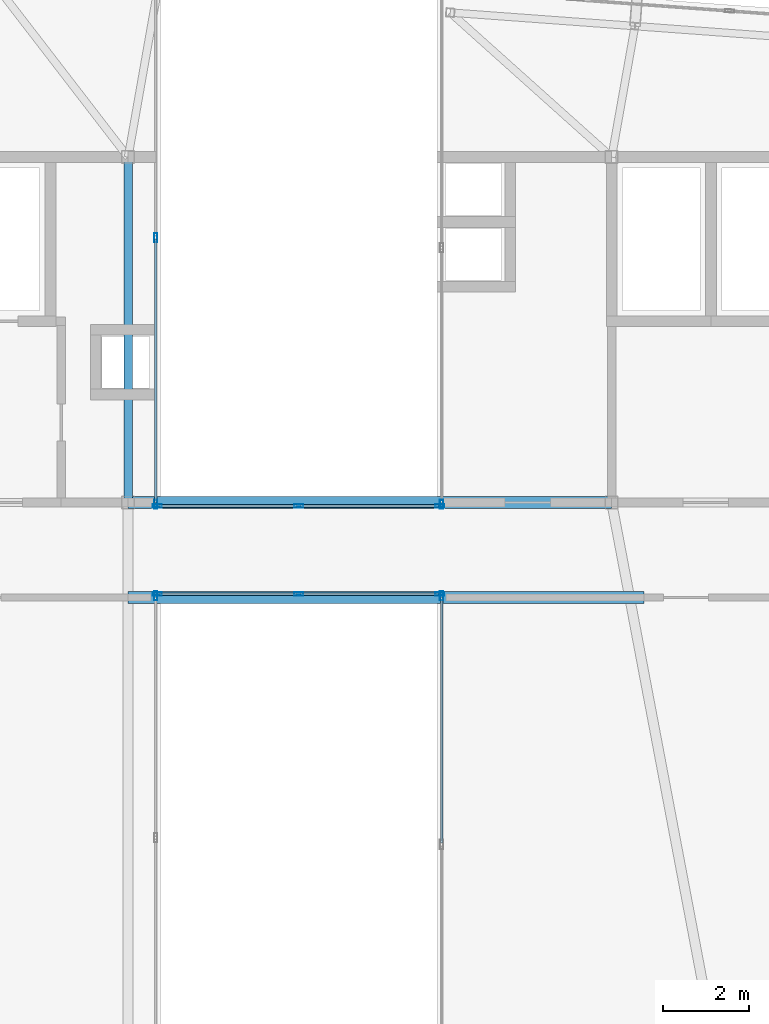
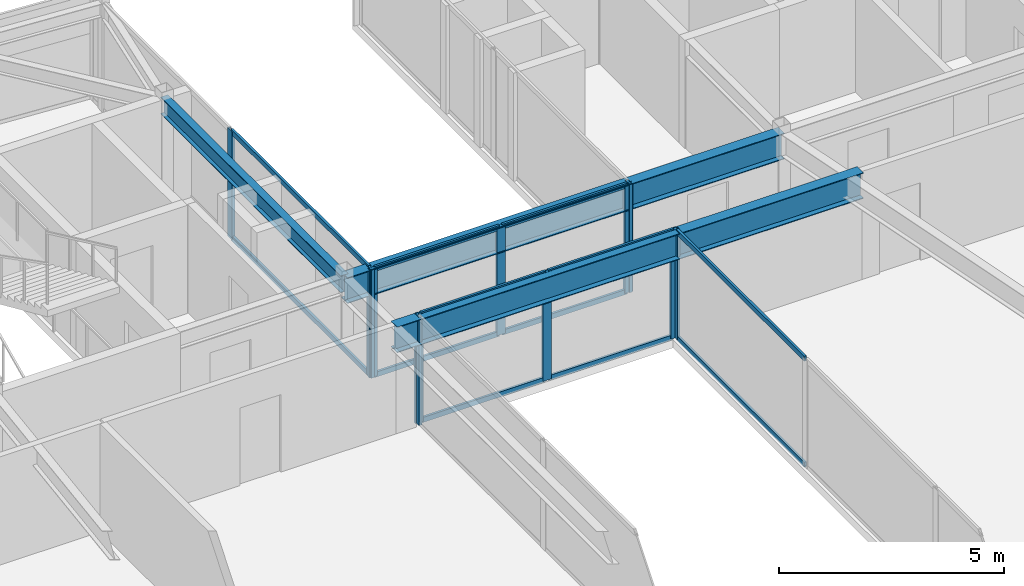
# One storey, part 17 of 39: 23 members, 3 beams, 6 elements without a shape of their own.
"""IFC4 building model written with IfcOpenShell, lengths in metres."""

from ifc_helpers import new_model, si_unit, direction, frame, origin, origin_2d, place, context, subcontext, project, spatial, hollow_rectangle, i_section, extrude, source, transform, mapped, material, layer, layer_set, material_profile, profile_set, type_object, element, aggregate, save


model = new_model("IFC4")

# Units and contexts
model_context = context("Model", 3, precision=1e-05, world=origin(), true_north=direction((0.0, 1.0)))
body_context = subcontext(model_context, "Body", "Model", "MODEL_VIEW")
ifc_project = project(units=[si_unit("LENGTHUNIT", "METRE"), si_unit("AREAUNIT", "SQUARE_METRE"), si_unit("VOLUMEUNIT", "CUBIC_METRE"), si_unit("PLANEANGLEUNIT", "RADIAN"), si_unit("MASSUNIT", "GRAM", prefix="KILO")], contexts=[model_context])

# Site, building, storey
site_placement = place(None, origin())
site = spatial("IfcSite", under=ifc_project, at=site_placement, CompositionType="ELEMENT")
building_placement = place(site_placement, origin())
building = spatial("IfcBuilding", under=site, at=building_placement, Name="Taldren Reach Tower", CompositionType="ELEMENT")
storey_placement = place(building_placement, frame((0.0, 0.0, 230.300048828125)))
storey = spatial("IfcBuildingStorey", under=building, at=storey_placement, Name="L70", CompositionType="ELEMENT", Elevation=230.300048828125)

# Beams
ifc_material_1 = material(Name="Steel Gr 350 (350PLUS)", Category="steel")
ifc_material_profile_1 = material_profile(ifc_material_1, i_section(OverallWidth=0.19091796875, OverallDepth=0.4599609375, WebThickness=0.010009765625, FlangeThickness=0.01611328125, at=origin_2d()), Name="460UB82.1")
ifc_profile_set_1 = profile_set([ifc_material_profile_1], Name="Steel Gr 350 (350PLUS)")
beam_type_1 = type_object("IfcBeamType", Name="BM-UB460A", PredefinedType="BEAM", material=ifc_profile_set_1)
shared_shape_1 = source(origin(), body_context, "Body", "SweptSolid", [
    extrude(i_section(OverallWidth=0.19091796875, OverallDepth=0.4599609375, WebThickness=0.010009765625, FlangeThickness=0.01611328125, at=origin_2d()), origin(), (0.0, 0.0, 1.0), 8.0),
])
beam_1_placement = place(storey_placement, frame((28.0, 24.0, 2.699951171875), z_axis=(0.0, 1.0, 0.0), x_axis=(-1.0, 0.0, 0.0)))
element("IfcBeam", 1, at=beam_1_placement, inside=storey, type_object=beam_type_1, Name="Core-spine girder L70-SP07", PredefinedType="BEAM", context=body_context, shape_type="MappedRepresentation", body=[
    mapped(shared_shape_1, transform((0.0, 0.0, 0.0), scale=1.0)),
])
ifc_material_profile_2 = material_profile(ifc_material_1, i_section(OverallWidth=0.27490234375, OverallDepth=0.699951171875, WebThickness=0.010009765625, FlangeThickness=0.02001953125, at=origin_2d()), Name="700WB150")
ifc_profile_set_2 = profile_set([ifc_material_profile_2], Name="Steel Gr 350 (350PLUS)")
beam_type_2 = type_object("IfcBeamType", Name="BM-WB700", PredefinedType="BEAM", material=ifc_profile_set_2)
shared_shape_2 = source(origin(), body_context, "Body", "SweptSolid", [
    extrude(i_section(OverallWidth=0.27490234375, OverallDepth=0.699951171875, WebThickness=0.010009765625, FlangeThickness=0.02001953125, at=origin_2d()), origin(), (0.0, 0.0, 1.0), 11.199951171875),
])
beam_2_placement = place(storey_placement, frame((28.0, 24.0, 2.579833984375), z_axis=(1.0, 0.0, 0.0), x_axis=(0.0, 1.0, 0.0)))
element("IfcBeam", 2, at=beam_2_placement, inside=storey, type_object=beam_type_2, Name="Core-spine girder L70-SP02", PredefinedType="BEAM", context=body_context, shape_type="MappedRepresentation", body=[
    mapped(shared_shape_2, transform((0.0, 0.0, 0.0), scale=1.0)),
])
shared_shape_3 = source(origin(), body_context, "Body", "SweptSolid", [
    extrude(i_section(OverallWidth=0.27490234375, OverallDepth=0.699951171875, WebThickness=0.010009765625, FlangeThickness=0.02001953125, at=origin_2d()), origin(), (0.0, 0.0, 1.0), 11.949951171875),
])
beam_3_placement = place(storey_placement, frame((28.0, 21.800048828125, 2.579833984375), z_axis=(1.0, 0.0, 0.0), x_axis=(0.0, 1.0, 0.0)))
element("IfcBeam", 3, at=beam_3_placement, inside=storey, type_object=beam_type_2, Name="Wind portal sky-bridge south girder L70", PredefinedType="BEAM", context=body_context, shape_type="MappedRepresentation", body=[
    mapped(shared_shape_3, transform((0.0, 0.0, 0.0), scale=1.0)),
])

# Curtain wall, members
ifc_material_2 = material(Name="Aluminium and Low-E Glass Unitised System", Category="aluminium")
ifc_layer = layer(ifc_material_2, 0.159912109375)
ifc_layer_set = layer_set([ifc_layer], Name="Aluminium and Low-E Glass Unitised System")
curtain_wall_type = type_object("IfcCurtainWallType", Name="CW-SYS-7", PredefinedType="NOTDEFINED", material=ifc_layer_set)
curtain_wall_1_placement = place(storey_placement, origin())
curtain_wall_1 = element("IfcCurtainWall", 4, at=curtain_wall_1_placement, inside=storey, type_object=curtain_wall_type, Name="Unitised curtain wall CW7-L70-BRS", PredefinedType="NOTDEFINED")
ifc_material_3 = material(Name="Anodised Aluminium 6063-T6", Category="aluminium")
ifc_material_profile_3 = material_profile(ifc_material_3, hollow_rectangle(XDim=0.074951171875, YDim=0.2099609375, WallThickness=0.00439453125, at=origin_2d()), Name="ALU-210x75x4.5RHS")
ifc_profile_set_3 = profile_set([ifc_material_profile_3], Name="Anodised Aluminium 6063-T6")
member_type_1 = type_object("IfcMemberType", Name="CW-MUL-200", PredefinedType="MULLION", material=ifc_profile_set_3)
shared_shape_4 = source(origin(), body_context, "Body", "SweptSolid", [
    extrude(hollow_rectangle(XDim=0.074951171875, YDim=0.2099609375, WallThickness=0.00439453125, at=origin_2d()), origin(), (0.0, 0.0, 1.0), 2.929931640625),
])
member_1_placement = place(storey_placement, frame((28.677490234375, 21.8798828125, 0.0), z_axis=(0.0, 0.0, 1.0), x_axis=(0.0, 1.0, 0.0)))
member_1 = element("IfcMember", 5, at=member_1_placement, type_object=member_type_1, Name="CW-7 mullion 1", PredefinedType="MULLION", context=body_context, shape_type="MappedRepresentation", body=[
    mapped(shared_shape_4, transform((0.0, 0.0, 0.0), scale=1.0)),
])
member_2_placement = place(storey_placement, frame((31.949951171875, 21.8798828125, 0.0), z_axis=(0.0, 0.0, 1.0), x_axis=(0.0, 1.0, 0.0)))
member_2 = element("IfcMember", 6, at=member_2_placement, type_object=member_type_1, Name="CW-7 mullion 2", PredefinedType="MULLION", context=body_context, shape_type="MappedRepresentation", body=[
    mapped(shared_shape_4, transform((0.0, 0.0, 0.0), scale=1.0)),
])
member_3_placement = place(storey_placement, frame((35.222412109375, 21.8798828125, 0.0), z_axis=(0.0, 0.0, 1.0), x_axis=(0.0, 1.0, 0.0)))
member_3 = element("IfcMember", 7, at=member_3_placement, type_object=member_type_1, Name="CW-7 mullion 3", PredefinedType="MULLION", context=body_context, shape_type="MappedRepresentation", body=[
    mapped(shared_shape_4, transform((0.0, 0.0, 0.0), scale=1.0)),
])

curtain_wall_2_placement = place(storey_placement, origin())
curtain_wall_2 = element("IfcCurtainWall", 8, at=curtain_wall_2_placement, inside=storey, type_object=curtain_wall_type, Name="Unitised curtain wall CW7-L70-BRN", PredefinedType="NOTDEFINED")
member_4_placement = place(storey_placement, frame((35.222412109375, 23.919921875, 0.0), z_axis=(0.0, 0.0, 1.0), x_axis=(0.0, -1.0, 0.0)))
member_4 = element("IfcMember", 9, at=member_4_placement, type_object=member_type_1, Name="CW-7 mullion 1", PredefinedType="MULLION", context=body_context, shape_type="MappedRepresentation", body=[
    mapped(shared_shape_4, transform((0.0, 0.0, 0.0), scale=1.0)),
])
member_5_placement = place(storey_placement, frame((31.949951171875, 23.919921875, 0.0), z_axis=(0.0, 0.0, 1.0), x_axis=(0.0, -1.0, 0.0)))
member_5 = element("IfcMember", 10, at=member_5_placement, type_object=member_type_1, Name="CW-7 mullion 2", PredefinedType="MULLION", context=body_context, shape_type="MappedRepresentation", body=[
    mapped(shared_shape_4, transform((0.0, 0.0, 0.0), scale=1.0)),
])
member_6_placement = place(storey_placement, frame((28.677490234375, 23.919921875, 0.0), z_axis=(0.0, 0.0, 1.0), x_axis=(0.0, -1.0, 0.0)))
member_6 = element("IfcMember", 11, at=member_6_placement, type_object=member_type_1, Name="CW-7 mullion 3", PredefinedType="MULLION", context=body_context, shape_type="MappedRepresentation", body=[
    mapped(shared_shape_4, transform((0.0, 0.0, 0.0), scale=1.0)),
])

# Curtain wall, member
curtain_wall_3_placement = place(storey_placement, origin())
curtain_wall_3 = element("IfcCurtainWall", 12, at=curtain_wall_3_placement, inside=storey, type_object=curtain_wall_type, Name="Unitised curtain wall CW7-L70-PSW", PredefinedType="NOTDEFINED")
member_7_placement = place(storey_placement, frame((28.639892578125, 21.842529296875, 0.0), z_axis=(0.0, 0.0, 1.0), x_axis=(-1.0, 0.0, 0.0)))
member_7 = element("IfcMember", 13, at=member_7_placement, type_object=member_type_1, Name="CW-7 mullion 4", PredefinedType="MULLION", context=body_context, shape_type="MappedRepresentation", body=[
    mapped(shared_shape_4, transform((0.0, 0.0, 0.0), scale=1.0)),
])
aggregate(curtain_wall_3, [member_7])

curtain_wall_4_placement = place(storey_placement, origin())
curtain_wall_4 = element("IfcCurtainWall", 14, at=curtain_wall_4_placement, inside=storey, type_object=curtain_wall_type, Name="Unitised curtain wall CW7-L70-PSE", PredefinedType="NOTDEFINED")
member_8_placement = place(storey_placement, frame((35.260009765625, 21.842529296875, 0.0), z_axis=(0.0, 0.0, 1.0), x_axis=(1.0, 0.0, 0.0)))
member_8 = element("IfcMember", 15, at=member_8_placement, type_object=member_type_1, Name="CW-7 mullion 1", PredefinedType="MULLION", context=body_context, shape_type="MappedRepresentation", body=[
    mapped(shared_shape_4, transform((0.0, 0.0, 0.0), scale=1.0)),
])

# Curtain wall, members
curtain_wall_5_placement = place(storey_placement, origin())
curtain_wall_5 = element("IfcCurtainWall", 16, at=curtain_wall_5_placement, inside=storey, type_object=curtain_wall_type, Name="Unitised curtain wall CW7-L70-PNW", PredefinedType="NOTDEFINED")
member_9_placement = place(storey_placement, frame((28.639892578125, 23.95751953125, 0.0), z_axis=(0.0, 0.0, 1.0), x_axis=(-1.0, 0.0, 0.0)))
member_9 = element("IfcMember", 17, at=member_9_placement, type_object=member_type_1, Name="CW-7 mullion 1", PredefinedType="MULLION", context=body_context, shape_type="MappedRepresentation", body=[
    mapped(shared_shape_4, transform((0.0, 0.0, 0.0), scale=1.0)),
])
member_10_placement = place(storey_placement, frame((28.639892578125, 30.136962890625, 0.0), z_axis=(0.0, 0.0, 1.0), x_axis=(-1.0, 0.0, 0.0)))
member_10 = element("IfcMember", 18, at=member_10_placement, type_object=member_type_1, Name="CW-7 mullion 2", PredefinedType="MULLION", context=body_context, shape_type="MappedRepresentation", body=[
    mapped(shared_shape_4, transform((0.0, 0.0, 0.0), scale=1.0)),
])

# Curtain wall, member
curtain_wall_6_placement = place(storey_placement, origin())
curtain_wall_6 = element("IfcCurtainWall", 19, at=curtain_wall_6_placement, inside=storey, type_object=curtain_wall_type, Name="Unitised curtain wall CW7-L70-PNE", PredefinedType="NOTDEFINED")
member_11_placement = place(storey_placement, frame((35.260009765625, 23.95751953125, 0.0), z_axis=(0.0, 0.0, 1.0), x_axis=(1.0, 0.0, 0.0)))
member_11 = element("IfcMember", 20, at=member_11_placement, type_object=member_type_1, Name="CW-7 mullion 3", PredefinedType="MULLION", context=body_context, shape_type="MappedRepresentation", body=[
    mapped(shared_shape_4, transform((0.0, 0.0, 0.0), scale=1.0)),
])
aggregate(curtain_wall_6, [member_11])

# Member
ifc_material_profile_4 = material_profile(ifc_material_3, hollow_rectangle(XDim=0.06005859375, YDim=0.135009765625, WallThickness=0.00341796875, at=origin_2d()), Name="ALU-135x60x3.5RHS")
ifc_profile_set_4 = profile_set([ifc_material_profile_4], Name="Anodised Aluminium 6063-T6")
member_type_2 = type_object("IfcMemberType", Name="CW-TRN-150", PredefinedType="USERDEFINED", material=ifc_profile_set_4)
shared_shape_5 = source(origin(), body_context, "Body", "SweptSolid", [
    extrude(hollow_rectangle(XDim=0.06005859375, YDim=0.135009765625, WallThickness=0.00341796875, at=origin_2d()), origin(), (0.0, 0.0, 1.0), 3.197509765625),
])
member_12_placement = place(storey_placement, frame((28.715087890625, 21.8798828125, 0.030029296875), z_axis=(1.0, 0.0, 0.0), x_axis=(0.0, 1.0, 0.0)))
member_12 = element("IfcMember", 21, at=member_12_placement, type_object=member_type_2, Name="CW-7 transom 1.1", ObjectType="TRANSOM", PredefinedType="USERDEFINED", context=body_context, shape_type="MappedRepresentation", body=[
    mapped(shared_shape_5, transform((0.0, 0.0, 0.0), scale=1.0)),
])

member_13_placement = place(storey_placement, frame((28.715087890625, 21.8798828125, 2.89990234375), z_axis=(1.0, 0.0, 0.0), x_axis=(0.0, 1.0, 0.0)))
member_13 = element("IfcMember", 22, at=member_13_placement, type_object=member_type_2, Name="CW-7 transom 1.2", ObjectType="TRANSOM", PredefinedType="USERDEFINED", context=body_context, shape_type="MappedRepresentation", body=[
    mapped(shared_shape_5, transform((0.0, 0.0, 0.0), scale=1.0)),
])

member_14_placement = place(storey_placement, frame((31.987548828125, 21.8798828125, 0.030029296875), z_axis=(1.0, 0.0, 0.0), x_axis=(0.0, 1.0, 0.0)))
member_14 = element("IfcMember", 23, at=member_14_placement, type_object=member_type_2, Name="CW-7 transom 2.1", ObjectType="TRANSOM", PredefinedType="USERDEFINED", context=body_context, shape_type="MappedRepresentation", body=[
    mapped(shared_shape_5, transform((0.0, 0.0, 0.0), scale=1.0)),
])

member_15_placement = place(storey_placement, frame((31.987548828125, 21.8798828125, 2.89990234375), z_axis=(1.0, 0.0, 0.0), x_axis=(0.0, 1.0, 0.0)))
member_15 = element("IfcMember", 24, at=member_15_placement, type_object=member_type_2, Name="CW-7 transom 2.2", ObjectType="TRANSOM", PredefinedType="USERDEFINED", context=body_context, shape_type="MappedRepresentation", body=[
    mapped(shared_shape_5, transform((0.0, 0.0, 0.0), scale=1.0)),
])

aggregate(curtain_wall_1, [member_1, member_2, member_3, member_12, member_13, member_14, member_15])

member_16_placement = place(storey_placement, frame((35.18505859375, 23.919921875, 0.030029296875), z_axis=(-1.0, 0.0, 0.0), x_axis=(0.0, -1.0, 0.0)))
member_16 = element("IfcMember", 25, at=member_16_placement, type_object=member_type_2, Name="CW-7 transom 1.1", ObjectType="TRANSOM", PredefinedType="USERDEFINED", context=body_context, shape_type="MappedRepresentation", body=[
    mapped(shared_shape_5, transform((0.0, 0.0, 0.0), scale=1.0)),
])

member_17_placement = place(storey_placement, frame((35.18505859375, 23.919921875, 2.89990234375), z_axis=(-1.0, 0.0, 0.0), x_axis=(0.0, -1.0, 0.0)))
member_17 = element("IfcMember", 26, at=member_17_placement, type_object=member_type_2, Name="CW-7 transom 1.2", ObjectType="TRANSOM", PredefinedType="USERDEFINED", context=body_context, shape_type="MappedRepresentation", body=[
    mapped(shared_shape_5, transform((0.0, 0.0, 0.0), scale=1.0)),
])

member_18_placement = place(storey_placement, frame((31.91259765625, 23.919921875, 0.030029296875), z_axis=(-1.0, 0.0, 0.0), x_axis=(0.0, -1.0, 0.0)))
member_18 = element("IfcMember", 27, at=member_18_placement, type_object=member_type_2, Name="CW-7 transom 2.1", ObjectType="TRANSOM", PredefinedType="USERDEFINED", context=body_context, shape_type="MappedRepresentation", body=[
    mapped(shared_shape_5, transform((0.0, 0.0, 0.0), scale=1.0)),
])

member_19_placement = place(storey_placement, frame((31.91259765625, 23.919921875, 2.89990234375), z_axis=(-1.0, 0.0, 0.0), x_axis=(0.0, -1.0, 0.0)))
member_19 = element("IfcMember", 28, at=member_19_placement, type_object=member_type_2, Name="CW-7 transom 2.2", ObjectType="TRANSOM", PredefinedType="USERDEFINED", context=body_context, shape_type="MappedRepresentation", body=[
    mapped(shared_shape_5, transform((0.0, 0.0, 0.0), scale=1.0)),
])

aggregate(curtain_wall_2, [member_4, member_5, member_6, member_16, member_17, member_18, member_19])

shared_shape_6 = source(origin(), body_context, "Body", "SweptSolid", [
    extrude(hollow_rectangle(XDim=0.06005859375, YDim=0.135009765625, WallThickness=0.00341796875, at=origin_2d()), origin(), (0.0, 0.0, 1.0), 5.6875),
])
member_20_placement = place(storey_placement, frame((35.260009765625, 21.804931640625, 0.030029296875), z_axis=(0.0, -1.0, 0.0), x_axis=(1.0, 0.0, 0.0)))
member_20 = element("IfcMember", 29, at=member_20_placement, type_object=member_type_2, Name="CW-7 transom 1.1", ObjectType="TRANSOM", PredefinedType="USERDEFINED", context=body_context, shape_type="MappedRepresentation", body=[
    mapped(shared_shape_6, transform((0.0, 0.0, 0.0), scale=1.0)),
])

member_21_placement = place(storey_placement, frame((35.260009765625, 21.804931640625, 2.89990234375), z_axis=(0.0, -1.0, 0.0), x_axis=(1.0, 0.0, 0.0)))
member_21 = element("IfcMember", 30, at=member_21_placement, type_object=member_type_2, Name="CW-7 transom 1.2", ObjectType="TRANSOM", PredefinedType="USERDEFINED", context=body_context, shape_type="MappedRepresentation", body=[
    mapped(shared_shape_6, transform((0.0, 0.0, 0.0), scale=1.0)),
])

aggregate(curtain_wall_4, [member_8, member_20, member_21])

shared_shape_7 = source(origin(), body_context, "Body", "SweptSolid", [
    extrude(hollow_rectangle(XDim=0.06005859375, YDim=0.135009765625, WallThickness=0.00341796875, at=origin_2d()), origin(), (0.0, 0.0, 1.0), 6.104248046875),
])
member_22_placement = place(storey_placement, frame((28.639892578125, 23.9951171875, 0.030029296875), z_axis=(0.0, 1.0, 0.0), x_axis=(-1.0, 0.0, 0.0)))
member_22 = element("IfcMember", 31, at=member_22_placement, type_object=member_type_2, Name="CW-7 transom 1.1", ObjectType="TRANSOM", PredefinedType="USERDEFINED", context=body_context, shape_type="MappedRepresentation", body=[
    mapped(shared_shape_7, transform((0.0, 0.0, 0.0), scale=1.0)),
])

member_23_placement = place(storey_placement, frame((28.639892578125, 23.9951171875, 2.89990234375), z_axis=(0.0, 1.0, 0.0), x_axis=(-1.0, 0.0, 0.0)))
member_23 = element("IfcMember", 32, at=member_23_placement, type_object=member_type_2, Name="CW-7 transom 1.2", ObjectType="TRANSOM", PredefinedType="USERDEFINED", context=body_context, shape_type="MappedRepresentation", body=[
    mapped(shared_shape_7, transform((0.0, 0.0, 0.0), scale=1.0)),
])

aggregate(curtain_wall_5, [member_9, member_10, member_22, member_23])

save(model, "model.ifc")
